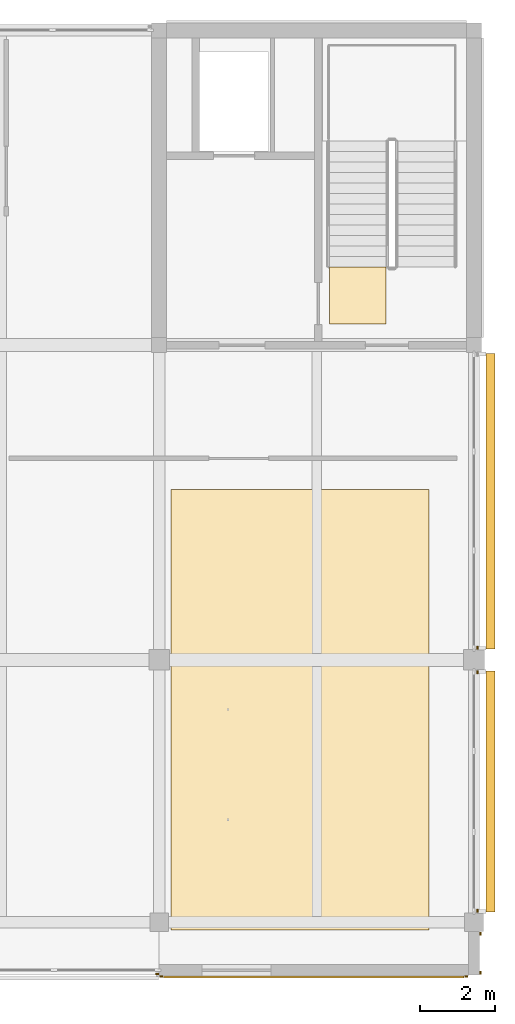
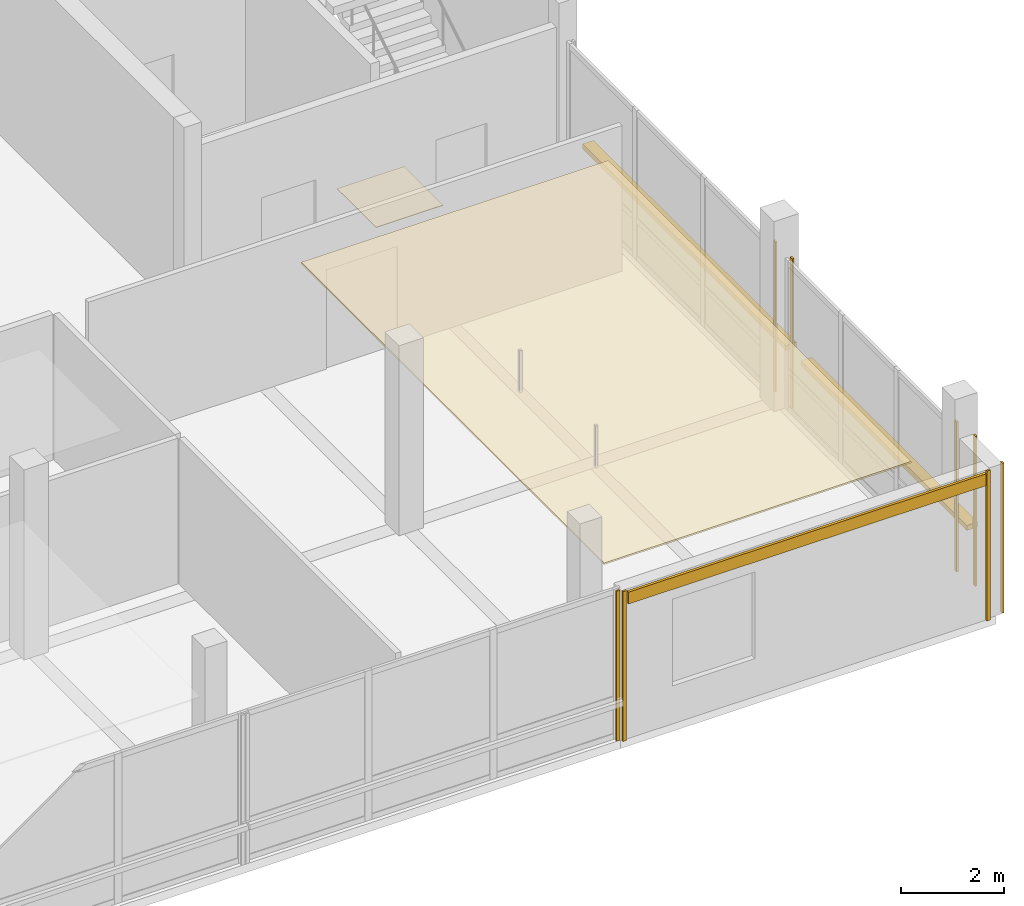
# One storey, part 19 of 20: 11 coverings, 2 shading devices.
"""IFC4 building model written with IfcOpenShell, lengths in metres."""

import ifcopenshell
import ifcopenshell.guid

model = None  # the IFC model being written
_history = None  # IfcOwnerHistory: only IFC2X3 demands one
_inside = {}  # id of a spatial element -> (the spatial element, [elements in it])
_under = {}  # id of a project, library or spatial element -> (it, [spatial elements below it])
_declared = {}  # id of a project -> (the project, [libraries it declares])
_typed = {}  # id of a type object -> (the type object, [elements of that type])
_made_of = {}  # id of a material, layer set ... -> (it, [elements and type objects made of it])


def new_model(schema):
    """Start an empty IFC model of exactly this schema.

    Asked for "IFC4X3", IfcOpenShell would pick the latest addendum, in which some entities
    have other attributes; the version numbers below select the first issue.
    IFC2X3 requires an IfcOwnerHistory on every rooted entity: one is made here for all.
    """
    global model, _history
    if schema == "IFC4X3":
        model = ifcopenshell.file(schema_version=(4, 3, 0, 0))
    else:
        model = ifcopenshell.file(schema=schema)
    _inside.clear()
    _under.clear()
    _declared.clear()
    _typed.clear()
    _made_of.clear()
    _history = None
    if model.schema == "IFC2X3":
        org = make("IfcOrganization", Name="unknown")
        user = make(
            "IfcPersonAndOrganization",
            ThePerson=make("IfcPerson", FamilyName="unknown"),
            TheOrganization=org,
        )
        app = make(
            "IfcApplication",
            ApplicationDeveloper=org,
            Version="unknown",
            ApplicationFullName="unknown",
            ApplicationIdentifier="unknown",
        )
        _history = make(
            "IfcOwnerHistory",
            OwningUser=user,
            OwningApplication=app,
            ChangeAction="ADDED",
            CreationDate=0,
        )
    return model


def make(cls, **values):
    """One entity of the class cls with the attributes given. An attribute that is None is left unset."""
    return model.create_entity(
        cls, **{name: value for name, value in values.items() if value is not None}
    )


def rooted(cls, **values):
    """An entity with a GlobalId (a new one), such as an element, a storey or a relation."""
    return make(cls, GlobalId=ifcopenshell.guid.new(), OwnerHistory=_history, **values)


def si_unit(unit_type, name, prefix=None):
    """IfcSIUnit, for example si_unit("LENGTHUNIT", "METRE", prefix="MILLI")."""
    return make("IfcSIUnit", UnitType=unit_type, Prefix=prefix, Name=name)


def assignment(units):
    """IfcUnitAssignment: the units of a project."""
    return None if units is None else make("IfcUnitAssignment", Units=units)


def point(xyz):
    """IfcCartesianPoint."""
    return None if xyz is None else make("IfcCartesianPoint", Coordinates=xyz)


def direction(xyz):
    """IfcDirection."""
    return None if xyz is None else make("IfcDirection", DirectionRatios=xyz)


def frame(location, z_axis=None, x_axis=None):
    """IfcAxis2Placement3D, a coordinate frame: its origin and axes. An axis left out is left unset."""
    return make(
        "IfcAxis2Placement3D",
        Location=point(location),
        Axis=direction(z_axis),
        RefDirection=direction(x_axis),
    )


def frame_2d(location, x_axis=None):
    """IfcAxis2Placement2D, a coordinate frame in the plane: its origin and x axis."""
    return make(
        "IfcAxis2Placement2D", Location=point(location), RefDirection=direction(x_axis)
    )


def origin():
    """The frame at (0, 0, 0) with its axes left unset."""
    return frame((0.0, 0.0, 0.0))


def origin_2d():
    """The frame at (0, 0) in the plane with its x axis left unset."""
    return frame_2d((0.0, 0.0))


def place(relative_to, where):
    """IfcLocalPlacement: puts the frame where relative to a parent placement (None: the world)."""
    return make(
        "IfcLocalPlacement", PlacementRelTo=relative_to, RelativePlacement=where
    )


def context(
    kind, dimensions, precision=None, world=None, true_north=None, identifier=None
):
    """IfcGeometricRepresentationContext, for example the 3D "Model" context."""
    return make(
        "IfcGeometricRepresentationContext",
        ContextIdentifier=identifier,
        ContextType=kind,
        CoordinateSpaceDimension=dimensions,
        Precision=precision,
        WorldCoordinateSystem=world,
        TrueNorth=true_north,
    )


def subcontext(parent, identifier, kind, view, scale=None):
    """IfcGeometricRepresentationSubContext, for example "Body" below "Model"."""
    return make(
        "IfcGeometricRepresentationSubContext",
        ContextIdentifier=identifier,
        ContextType=kind,
        ParentContext=parent,
        TargetScale=scale,
        TargetView=view,
    )


def project(units=None, contexts=None):
    """IfcProject with its units and contexts."""
    return rooted(
        "IfcProject",
        Name="project",
        RepresentationContexts=contexts,
        UnitsInContext=assignment(units),
    )


def spatial(cls, under=None, at=None, **own):
    """A site, building, storey or space (cls), placed at a placement, below another one or the project."""
    s = rooted(cls, ObjectPlacement=at, **own)
    if under is not None:
        _under.setdefault(under.id(), (under, []))[1].append(s)
    return s


def polyline(points):
    """IfcPolyline through the points."""
    return make("IfcPolyline", Points=[point(p) for p in points])


def profile(cls, at=None, kind="AREA", **sizes):
    """A parametric profile (cls). Its sizes go by their IFC names, for example OverallWidth=200.0."""
    return make(cls, ProfileType=kind, Position=at, **sizes)


def rectangle(**sizes):
    """IfcRectangleProfileDef."""
    return profile("IfcRectangleProfileDef", **sizes)


def outline(outer, holes=None, kind="AREA"):
    """IfcArbitraryClosedProfileDef: a profile drawn as a closed curve; with holes, ...WithVoids."""
    if holes is None:
        return make("IfcArbitraryClosedProfileDef", ProfileType=kind, OuterCurve=outer)
    return make(
        "IfcArbitraryProfileDefWithVoids",
        ProfileType=kind,
        OuterCurve=outer,
        InnerCurves=holes,
    )


def extrude(swept, where, along, depth):
    """IfcExtrudedAreaSolid: the profile swept, set in the frame where, extruded along a direction by depth."""
    return make(
        "IfcExtrudedAreaSolid",
        SweptArea=swept,
        Position=where,
        ExtrudedDirection=direction(along),
        Depth=depth,
    )


def shape(context_of_items, identifier, shape_type, items):
    """IfcShapeRepresentation: the items that make up one representation, for example the "Body"."""
    return make(
        "IfcShapeRepresentation",
        ContextOfItems=context_of_items,
        RepresentationIdentifier=identifier,
        RepresentationType=shape_type,
        Items=items,
    )


def material(Name=None, Category=None):
    """IfcMaterial."""
    return make("IfcMaterial", Name=Name, Category=Category)


def layer(
    of_material, thickness, ventilated=None, Name=None, Category=None, Priority=None
):
    """IfcMaterialLayer: one layer of a wall or slab, of a material (None: an air gap)."""
    return make(
        "IfcMaterialLayer",
        Material=of_material,
        LayerThickness=thickness,
        IsVentilated=ventilated,
        Name=Name,
        Category=Category,
        Priority=Priority,
    )


def layer_set(layers, Name=None):
    """IfcMaterialLayerSet."""
    return make("IfcMaterialLayerSet", MaterialLayers=layers, LayerSetName=Name)


def made_of(thing, what):
    """Note that an element or type object is made of a material, layer set ...; save() writes the relation."""
    if what is not None:
        _made_of.setdefault(what.id(), (what, []))[1].append(thing)
    return thing


def type_object(cls, material=None, **own):
    """A type object (cls), such as IfcWallType, which elements share."""
    return made_of(rooted(cls, **own), material)


def element(
    cls,
    number,
    at=None,
    inside=None,
    cuts=None,
    type_object=None,
    material=None,
    context=None,
    identifier="Body",
    shape_type=None,
    held_by="IfcProductDefinitionShape",
    body=None,
    shapes=None,
    **own,
):
    """One element of the class cls, such as IfcWall. Its Tag is "e" and its number.

    at: its placement. inside: the storey or other place that contains it. cuts: it is an
    opening in that element (IfcRelVoidsElement). A single representation is given by context,
    identifier, shape_type and body (its items); several are given by shapes. held_by: the class
    of the entity that holds the representations. save() writes the other relations.
    """
    e = rooted(cls, Tag="e%d" % number, ObjectPlacement=at, **own)
    if body is not None:
        shapes = [shape(context, identifier, shape_type, body)]
    if shapes is not None:
        e.Representation = make(held_by, Representations=shapes)
    if inside is not None:
        _inside.setdefault(inside.id(), (inside, []))[1].append(e)
    if cuts is not None:
        rooted(
            "IfcRelVoidsElement", RelatingBuildingElement=cuts, RelatedOpeningElement=e
        )
    if type_object is not None:
        _typed.setdefault(type_object.id(), (type_object, []))[1].append(e)
    return made_of(e, material)


def aggregate(whole, parts):
    """IfcRelAggregates: a whole, such as a stair, and the parts it consists of."""
    return rooted("IfcRelAggregates", RelatingObject=whole, RelatedObjects=parts)


def save(model, path):
    """Write the relations noted so far, then the file.

    IfcRelAggregates (storeys below a building ...), IfcRelContainedInSpatialStructure (elements
    in a storey), IfcRelDefinesByType, IfcRelAssociatesMaterial and IfcRelDeclares: one each for
    every whole, place, type object, material and project.
    """
    for whole, parts in _under.values():
        aggregate(whole, parts)
    for where, things in _inside.values():
        rooted(
            "IfcRelContainedInSpatialStructure",
            RelatedElements=things,
            RelatingStructure=where,
        )
    for kind, things in _typed.values():
        rooted("IfcRelDefinesByType", RelatedObjects=things, RelatingType=kind)
    for what, things in _made_of.values():
        rooted("IfcRelAssociatesMaterial", RelatedObjects=things, RelatingMaterial=what)
    for by, libraries in _declared.values():
        rooted("IfcRelDeclares", RelatingContext=by, RelatedDefinitions=libraries)
    model.write(path)


model = new_model("IFC4")

# Units and contexts
model_context = context("Model", 3, precision=1e-05, world=origin(), true_north=direction((0.0, 1.0)))
body_context = subcontext(model_context, "Body", "Model", "MODEL_VIEW")
ifc_project = project(units=[si_unit("LENGTHUNIT", "METRE"), si_unit("AREAUNIT", "SQUARE_METRE"), si_unit("VOLUMEUNIT", "CUBIC_METRE"), si_unit("PLANEANGLEUNIT", "RADIAN"), si_unit("MASSUNIT", "GRAM", prefix="KILO")], contexts=[model_context])

# Site, building, storey
site_placement = place(None, origin())
site = spatial("IfcSite", under=ifc_project, at=site_placement, CompositionType="ELEMENT")
building_placement = place(site_placement, origin())
building = spatial("IfcBuilding", under=site, at=building_placement, Name="Telukmera Botanical Conservatory", CompositionType="ELEMENT")
storey_placement = place(building_placement, frame((0.0, 0.0, 69.0)))
storey = spatial("IfcBuildingStorey", under=building, at=storey_placement, Name="L15", CompositionType="ELEMENT", Elevation=69.0)

# Coverings
ifc_material_1 = material(Name="Perforated gypsum acoustic ceiling")
ifc_layer_1 = layer(ifc_material_1, 0.0400390625)
ifc_layer_set_1 = layer_set([ifc_layer_1], Name="Perforated gypsum acoustic ceiling")
covering_type_1 = type_object("IfcCoveringType", Name="COV-CEIL-40", PredefinedType="CEILING", material=ifc_layer_set_1)
covering_1_placement = place(storey_placement, frame((0.0, 0.0, 3.31005859375)))
element("IfcCovering", 1, at=covering_1_placement, inside=storey, type_object=covering_type_1, Name="L15 Botanical Rare Atlas Gallery Suspended Acoustic Ceiling", PredefinedType="CEILING", context=body_context, shape_type="SweptSolid", body=[
    extrude(outline(polyline([(92.719970703125, 10.39990234375), (99.60009765625, 10.39990234375), (99.60009765625, 22.14990234375), (92.719970703125, 22.14990234375), (92.719970703125, 10.39990234375)])), origin(), (0.0, 0.0, 1.0), 0.0400390625),
])
ifc_material_2 = material(Name="Honed granite non-slip flooring", Category="masonry")
ifc_layer_2 = layer(ifc_material_2, 0.011962890625)
ifc_layer_set_2 = layer_set([ifc_layer_2], Name="Honed granite non-slip flooring")
covering_type_2 = type_object("IfcCoveringType", Name="COV-FLR-12", PredefinedType="FLOORING", material=ifc_layer_set_2)
covering_2_placement = place(storey_placement, origin())
element("IfcCovering", 2, at=covering_2_placement, inside=storey, type_object=covering_type_2, Name="L15 ST2 Non-Slip Stair Landing Finish", PredefinedType="FLOORING", context=body_context, shape_type="SweptSolid", body=[
    extrude(outline(polyline([(98.449951171875, 26.570068359375), (98.449951171875, 28.0849609375), (96.949951171875, 28.0849609375), (96.949951171875, 26.570068359375), (98.449951171875, 26.570068359375)])), origin(), (0.0, 0.0, 1.0), 0.011962890625),
])
ifc_material_3 = material(Name="Granite-faced precast concrete C40/50", Category="masonry")
ifc_layer_3 = layer(ifc_material_3, 0.0400390625)
ifc_layer_set_3 = layer_set([ifc_layer_3], Name="Granite-faced precast concrete C40/50")
covering_type_3 = type_object("IfcCoveringType", Name="Granite Precast Column Pier Reveal Casing", PredefinedType="CLADDING", material=ifc_layer_set_3)
for number, where, z_axis, x_axis, name in (
    (3, (100.969970703125, 9.25, 0.0), (0.0, 0.0, 1.0), (0.0, 1.0, 0.0), "Granite Pier Reveal V4:L15:SEC L"),
    (4, (100.969970703125, 10.298095703125, 0.0), (0.0, 0.0, 1.0), (0.0, 1.0, 0.0), "Granite Pier Reveal V4:L15:SEC R"),
    (5, (92.347900390625, 9.219970703125, 0.0), (0.0, 0.0, 1.0), (1.0, 0.0, 0.0), "Granite Pier Reveal V4:L15:S4 R"),
    (6, (92.451904296875, 9.14990234375, 0.0), (0.0, 0.0, 1.0), (1.0, 0.0, 0.0), "Granite Pier Reveal V4:L15:S5 L"),
    (7, (100.597900390625, 9.14990234375, 0.0), (0.0, 0.0, 1.0), (1.0, 0.0, 0.0), "Granite Pier Reveal V4:L15:S5 R"),
    (8, (100.89990234375, 10.902099609375, 0.0), (0.0, 0.0, 1.0), (0.0, 1.0, 0.0), "Granite Pier Reveal V4:L15:E1 L"),
    (9, (100.89990234375, 17.27294921875, 0.0), (0.0, 0.0, 1.0), (0.0, 1.0, 0.0), "Granite Pier Reveal V4:L15:E1 R"),
    (10, (100.89990234375, 17.927001953125, 0.0), (0.0, 0.0, 1.0), (0.0, 1.0, 0.0), "Granite Pier Reveal V4:L15:E2 L"),
):
    element("IfcCovering", number, at=place(storey_placement, frame(where, z_axis=z_axis, x_axis=x_axis)), inside=storey, type_object=covering_type_3, Name=name, PredefinedType="CLADDING", context=body_context, shape_type="SweptSolid", body=[
        extrude(rectangle(XDim=0.080078125, YDim=0.0400390625, at=origin_2d()), origin(), (0.0, 0.0, 1.0), 3.550048828125),
    ])

# Shading devices
ifc_material_4 = material(Name="Perforated terracotta-anodised aluminium 6063-T6", Category="masonry")
ifc_layer_4 = layer(ifc_material_4, 0.044921875)
ifc_layer_set_4 = layer_set([ifc_layer_4], Name="Perforated terracotta-anodised aluminium 6063-T6")
shading_device_type = type_object("IfcShadingDeviceType", Name="Perforated Terracotta Aluminium Monsoon Brise Soleil", PredefinedType="JALOUSIE", material=ifc_layer_set_4)
shading_device_1_placement = place(storey_placement, frame((101.239990234375, 14.08740234375, 0.889892578125), z_axis=(0.0, 0.0, 1.0), x_axis=(0.0, 1.0, 0.0)))
element("IfcShadingDevice", 11, at=shading_device_1_placement, inside=storey, type_object=shading_device_type, Name="Monsoon Shading BS01 V4:L15:E1", PredefinedType="JALOUSIE", context=body_context, shape_type="SweptSolid", body=[
    extrude(rectangle(XDim=6.430908203125, YDim=0.239990234375, at=origin_2d()), origin(), (0.0, 0.0, 1.0), 0.1201171875),
])
shading_device_2_placement = place(storey_placement, frame((101.239990234375, 21.83740234375, 0.889892578125), z_axis=(0.0, 0.0, 1.0), x_axis=(0.0, 1.0, 0.0)))
element("IfcShadingDevice", 12, at=shading_device_2_placement, inside=storey, type_object=shading_device_type, Name="Monsoon Shading BS01 V4:L15:E2", PredefinedType="JALOUSIE", context=body_context, shape_type="SweptSolid", body=[
    extrude(rectangle(XDim=7.881103515625, YDim=0.239990234375, at=origin_2d()), origin(), (0.0, 0.0, 1.0), 0.1201171875),
])

# Covering
ifc_material_5 = material(Name="Terracotta-faced precast concrete C40/50", Category="masonry")
ifc_layer_5 = layer(ifc_material_5, 0.06005859375)
ifc_layer_set_5 = layer_set([ifc_layer_5], Name="Terracotta-faced precast concrete C40/50")
covering_type_4 = type_object("IfcCoveringType", Name="Polychrome Terracotta Facade Band Cladding", PredefinedType="CLADDING", material=ifc_layer_set_5)
covering_3_placement = place(storey_placement, frame((96.52490234375, 9.139892578125, 3.22998046875), z_axis=(0.0, 0.0, 1.0), x_axis=(1.0, 0.0, 0.0)))
element("IfcCovering", 13, at=covering_3_placement, inside=storey, type_object=covering_type_4, Name="Polychrome Terracotta Band V4:L15:S5", PredefinedType="CLADDING", context=body_context, shape_type="SweptSolid", body=[
    extrude(rectangle(XDim=8.006103515625, YDim=0.06005859375, at=origin_2d()), origin(), (0.0, 0.0, 1.0), 0.280029296875),
])

save(model, "model.ifc")
